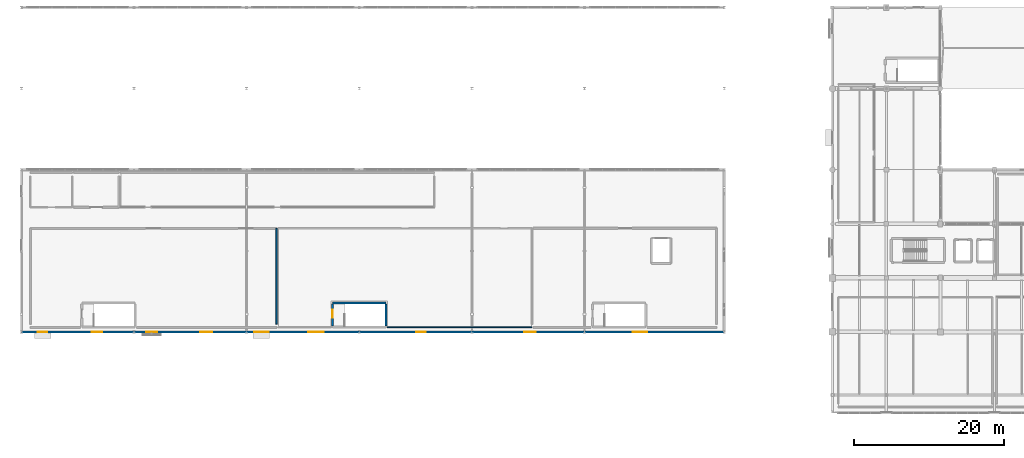
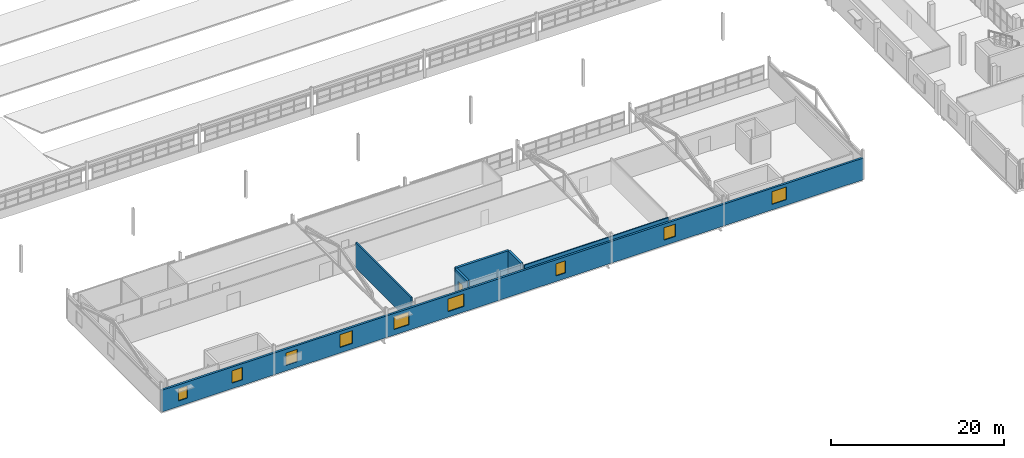
# One storey, part 69 of 90: 9 windows, 6 walls, 1 door, 10 openings.
"""IFC4 building model written with IfcOpenShell, lengths in metres."""

from ifc_helpers import new_model, si_unit, direction, frame, frame_2d, origin, place, context, subcontext, project, spatial, rectangle, extrude, material, layer, layer_set, type_object, element, fill, save


model = new_model("IFC4")

# Units and contexts
model_context = context("Model", 3, precision=1e-05, world=origin(), true_north=direction((0.0, 1.0)))
body_context = subcontext(model_context, "Body", "Model", "MODEL_VIEW")
ifc_project = project(units=[si_unit("LENGTHUNIT", "METRE"), si_unit("AREAUNIT", "SQUARE_METRE"), si_unit("VOLUMEUNIT", "CUBIC_METRE"), si_unit("PLANEANGLEUNIT", "RADIAN"), si_unit("MASSUNIT", "GRAM", prefix="KILO")], contexts=[model_context])

# Site, building, storey
site_placement = place(None, origin())
site = spatial("IfcSite", under=ifc_project, at=site_placement, CompositionType="ELEMENT")
building_placement = place(site_placement, origin())
building = spatial("IfcBuilding", under=site, at=building_placement, Name="Solanera Park Tramway Depot", CompositionType="ELEMENT")
storey_placement = place(building_placement, frame((0.0, 0.0, 9.0)))
storey = spatial("IfcBuildingStorey", under=building, at=storey_placement, Name="L02", CompositionType="ELEMENT", Elevation=9.0)

# Walls
ifc_material_1 = material(Name="Concrete N32 (C32/40)", Category="concrete")
ifc_layer_1 = layer(ifc_material_1, 0.14990234375)
ifc_layer_set_1 = layer_set([ifc_layer_1], Name="Concrete N32 (C32/40)")
wall_type_1 = type_object("IfcWallType", Name="Acoustic Partition 150", PredefinedType="PARTITIONING", material=ifc_layer_set_1)
wall_1_placement = place(storey_placement, frame((68.0, 11.39990234375, 0.0), z_axis=(0.0, 0.0, 1.0), x_axis=(-1.0, 0.0, 0.0)))
element("IfcWall", 1, at=wall_1_placement, inside=storey, type_object=wall_type_1, Name="Overhead Catenary Rigging Training Studio Dividing Wall", PredefinedType="PARTITIONING", context=body_context, shape_type="SweptSolid", body=[
    extrude(rectangle(XDim=19.25, YDim=0.14990234375, at=frame_2d((9.625, 0.0))), origin(), (0.0, 0.0, 1.0), 3.2353515625),
])
ifc_material_2 = material(Name="Concrete N40 (C40/50)", Category="concrete")
ifc_layer_2 = layer(ifc_material_2, 0.300048828125)
ifc_layer_set_2 = layer_set([ifc_layer_2], Name="Concrete N40 (C40/50)")
wall_type_2 = type_object("IfcWallType", Name="Core Shear Wall 300", PredefinedType="SHEAR", material=ifc_layer_set_2)
wall_2_placement = place(storey_placement, frame((48.550048828125, 14.64990234375, 0.0), z_axis=(0.0, 0.0, 1.0), x_axis=(-1.0, 0.0, 0.0)))
element("IfcWall", 2, at=wall_2_placement, inside=storey, type_object=wall_type_2, Name="ST-12 L02 Shear Core Wall N", PredefinedType="SHEAR", context=body_context, shape_type="SweptSolid", body=[
    extrude(rectangle(XDim=7.10009765625, YDim=0.300048828125, at=frame_2d((3.550048828125, 0.0))), origin(), (0.0, 0.0, 1.0), 3.449951171875),
])
wall_3_placement = place(storey_placement, frame((48.550048828125, 11.60009765625, 0.0), z_axis=(0.0, 0.0, 1.0), x_axis=(0.0, 1.0, 0.0)))
element("IfcWall", 3, at=wall_3_placement, inside=storey, type_object=wall_type_2, Name="ST-12 L02 Shear Core Wall E", PredefinedType="SHEAR", context=body_context, shape_type="SweptSolid", body=[
    extrude(rectangle(XDim=2.89990234375, YDim=0.300048828125, at=frame_2d((1.449951171875, 0.0))), origin(), (0.0, 0.0, 1.0), 3.449951171875),
])

# Wall, opening, door
wall_4_placement = place(storey_placement, frame((41.449951171875, 14.5, 0.0), z_axis=(0.0, 0.0, 1.0), x_axis=(0.0, -1.0, 0.0)))
wall_4 = element("IfcWall", 4, at=wall_4_placement, inside=storey, type_object=wall_type_2, Name="ST-12 L02 Shear Core Wall W", PredefinedType="SHEAR", context=body_context, shape_type="SweptSolid", body=[
    extrude(rectangle(XDim=2.89990234375, YDim=0.300048828125, at=frame_2d((1.449951171875, 0.0))), origin(), (0.0, 0.0, 1.0), 3.449951171875),
])
opening_1_placement = place(wall_4_placement, frame((0.75, 0.0, 0.0)))
opening_1 = element("IfcOpeningElement", 5, at=opening_1_placement, cuts=wall_4, Name="Opening FD-S1R", PredefinedType="OPENING", context=body_context, shape_type="SweptSolid", body=[
    extrude(rectangle(XDim=1.070068359375, YDim=2.14990234375, at=frame_2d((0.53515625, 1.074951171875))), frame((0.0, 0.16015625, 0.0), z_axis=(0.0, -1.0, 0.0), x_axis=(1.0, 0.0, 0.0)), (0.0, 0.0, 1.0), 0.320068359375),
])
ifc_material_3 = material(Name="Fire-rated steel or solid-core hardwood door leaf", Category="steel")
door_type = type_object("IfcDoorType", Name="Stair Fire Door R 1070x2150", OperationType="SINGLE_SWING_RIGHT", PredefinedType="DOOR", material=ifc_material_3)
door_placement = place(opening_1_placement, origin())
door = element("IfcDoor", 6, at=door_placement, inside=storey, type_object=door_type, Name="ST-12 L02 Stair Fire Door", OperationType="SINGLE_SWING_RIGHT", OverallHeight=2.14990234375, OverallWidth=1.070068359375, PredefinedType="DOOR", context=body_context, shape_type="SweptSolid", body=[
    extrude(rectangle(XDim=1.070068359375, YDim=2.14990234375, at=frame_2d((0.53515625, 1.074951171875))), frame((0.0, 0.02490234375, 0.0), z_axis=(0.0, -1.0, 0.0), x_axis=(1.0, 0.0, 0.0)), (0.0, 0.0, 1.0), 0.050048828125),
])
fill(opening_1, door)

# Wall, openings, windows
ifc_material_4 = material(Name="Concrete N32 (C32/40)", Category="concrete")
ifc_layer_3 = layer(ifc_material_4, 0.280029296875)
ifc_layer_set_3 = layer_set([ifc_layer_3], Name="Concrete N32 (C32/40)")
wall_type_3 = type_object("IfcWallType", Name="Ext Stucco Wall 280", PredefinedType="SOLIDWALL", material=ifc_layer_set_3)
wall_5_placement = place(storey_placement, frame((0.0, 10.800048828125, 0.0), z_axis=(0.0, 0.0, 1.0), x_axis=(1.0, 0.0, 0.0)))
wall_5 = element("IfcWall", 7, at=wall_5_placement, inside=storey, type_object=wall_type_3, Name="L02 Exterior Wall #008", PredefinedType="SOLIDWALL", context=body_context, shape_type="SweptSolid", body=[
    extrude(rectangle(XDim=93.60009765625, YDim=0.280029296875, at=frame_2d((46.800048828125, 0.0))), origin(), (0.0, 0.0, 1.0), 3.05810546875),
])
opening_2_placement = place(wall_5_placement, frame((2.199951171875, 0.0, 0.780029296875)))
opening_2 = element("IfcOpeningElement", 8, at=opening_2_placement, cuts=wall_5, Name="Opening WN-C12", PredefinedType="OPENING", context=body_context, shape_type="SweptSolid", body=[
    extrude(rectangle(XDim=1.25, YDim=1.699951171875, at=frame_2d((0.625, 0.85009765625))), frame((0.0, 0.14990234375, 0.0), z_axis=(0.0, -1.0, 0.0), x_axis=(1.0, 0.0, 0.0)), (0.0, 0.0, 1.0), 0.300048828125),
])
opening_3_placement = place(wall_5_placement, frame((9.39990234375, 0.0, 0.780029296875)))
opening_3 = element("IfcOpeningElement", 9, at=opening_3_placement, cuts=wall_5, Name="Opening WN-C13", PredefinedType="OPENING", context=body_context, shape_type="SweptSolid", body=[
    extrude(rectangle(XDim=1.35009765625, YDim=1.75, at=frame_2d((0.675048828125, 0.875))), frame((0.0, 0.14990234375, 0.0), z_axis=(0.0, -1.0, 0.0), x_axis=(1.0, 0.0, 0.0)), (0.0, 0.0, 1.0), 0.300048828125),
])
opening_4_placement = place(wall_5_placement, frame((16.60009765625, 0.0, 0.780029296875)))
opening_4 = element("IfcOpeningElement", 10, at=opening_4_placement, cuts=wall_5, Name="Opening WN-C15", PredefinedType="OPENING", context=body_context, shape_type="SweptSolid", body=[
    extrude(rectangle(XDim=1.5, YDim=1.75, at=frame_2d((0.75, 0.875))), frame((0.0, 0.14990234375, 0.0), z_axis=(0.0, -1.0, 0.0), x_axis=(1.0, 0.0, 0.0)), (0.0, 0.0, 1.0), 0.300048828125),
])
opening_5_placement = place(wall_5_placement, frame((23.800048828125, 0.0, 0.780029296875)))
opening_5 = element("IfcOpeningElement", 11, at=opening_5_placement, cuts=wall_5, Name="Opening WN-C16", PredefinedType="OPENING", context=body_context, shape_type="SweptSolid", body=[
    extrude(rectangle(XDim=1.64990234375, YDim=1.800048828125, at=frame_2d((0.824951171875, 0.89990234375))), frame((0.0, 0.14990234375, 0.0), z_axis=(0.0, -1.0, 0.0), x_axis=(1.0, 0.0, 0.0)), (0.0, 0.0, 1.0), 0.300048828125),
])
opening_6_placement = place(wall_5_placement, frame((31.0, 0.0, 0.780029296875)))
opening_6 = element("IfcOpeningElement", 12, at=opening_6_placement, cuts=wall_5, Name="Opening WN-C19", PredefinedType="OPENING", context=body_context, shape_type="SweptSolid", body=[
    extrude(rectangle(XDim=1.949951171875, YDim=1.800048828125, at=frame_2d((0.97509765625, 0.89990234375))), frame((0.0, 0.14990234375, 0.0), z_axis=(0.0, -1.0, 0.0), x_axis=(1.0, 0.0, 0.0)), (0.0, 0.0, 1.0), 0.300048828125),
])
opening_7_placement = place(wall_5_placement, frame((38.199951171875, 0.0, 0.780029296875)))
opening_7 = element("IfcOpeningElement", 13, at=opening_7_placement, cuts=wall_5, Name="Opening WN-C21", PredefinedType="OPENING", context=body_context, shape_type="SweptSolid", body=[
    extrude(rectangle(XDim=2.10009765625, YDim=1.800048828125, at=frame_2d((1.050048828125, 0.89990234375))), frame((0.0, 0.14990234375, 0.0), z_axis=(0.0, -1.0, 0.0), x_axis=(1.0, 0.0, 0.0)), (0.0, 0.0, 1.0), 0.300048828125),
])
opening_8_placement = place(wall_5_placement, frame((52.60009765625, 0.0, 0.780029296875)))
opening_8 = element("IfcOpeningElement", 14, at=opening_8_placement, cuts=wall_5, Name="Opening WN-C12", PredefinedType="OPENING", context=body_context, shape_type="SweptSolid", body=[
    extrude(rectangle(XDim=1.25, YDim=1.699951171875, at=frame_2d((0.625, 0.85009765625))), frame((0.0, 0.14990234375, 0.0), z_axis=(0.0, -1.0, 0.0), x_axis=(1.0, 0.0, 0.0)), (0.0, 0.0, 1.0), 0.300048828125),
])
opening_9_placement = place(wall_5_placement, frame((67.0, 0.0, 0.780029296875)))
opening_9 = element("IfcOpeningElement", 15, at=opening_9_placement, cuts=wall_5, Name="Opening WN-C15", PredefinedType="OPENING", context=body_context, shape_type="SweptSolid", body=[
    extrude(rectangle(XDim=1.5, YDim=1.75, at=frame_2d((0.75, 0.875))), frame((0.0, 0.14990234375, 0.0), z_axis=(0.0, -1.0, 0.0), x_axis=(1.0, 0.0, 0.0)), (0.0, 0.0, 1.0), 0.300048828125),
])
opening_10_placement = place(wall_5_placement, frame((81.39990234375, 0.0, 0.780029296875)))
opening_10 = element("IfcOpeningElement", 16, at=opening_10_placement, cuts=wall_5, Name="Opening WN-C19", PredefinedType="OPENING", context=body_context, shape_type="SweptSolid", body=[
    extrude(rectangle(XDim=1.949951171875, YDim=1.800048828125, at=frame_2d((0.97509765625, 0.89990234375))), frame((0.0, 0.14990234375, 0.0), z_axis=(0.0, -1.0, 0.0), x_axis=(1.0, 0.0, 0.0)), (0.0, 0.0, 1.0), 0.300048828125),
])
ifc_material_5 = material(Name="Powder-coated aluminium frame with solar-control double glazing", Category="aluminium")
window_type_1 = type_object("IfcWindowType", Name="Cloister Casement Window 1250x1700", PartitioningType="SINGLE_PANEL", PredefinedType="WINDOW", material=ifc_material_5)
window_1_placement = place(opening_2_placement, origin())
window_1 = element("IfcWindow", 17, at=window_1_placement, inside=storey, type_object=window_type_1, Name="L02 Cloister Casement Window 1250x1700 #0051", OverallHeight=1.699951171875, OverallWidth=1.25, PartitioningType="SINGLE_PANEL", PredefinedType="WINDOW", context=body_context, shape_type="SweptSolid", body=[
    extrude(rectangle(XDim=1.25, YDim=1.699951171875, at=frame_2d((0.625, 0.85009765625))), frame((0.0, 0.030029296875, 0.0), z_axis=(0.0, -1.0, 0.0), x_axis=(1.0, 0.0, 0.0)), (0.0, 0.0, 1.0), 0.06005859375),
])
fill(opening_2, window_1)
window_2_placement = place(opening_8_placement, origin())
window_2 = element("IfcWindow", 18, at=window_2_placement, inside=storey, type_object=window_type_1, Name="L02 Cloister Casement Window 1250x1700 #0057", OverallHeight=1.699951171875, OverallWidth=1.25, PartitioningType="SINGLE_PANEL", PredefinedType="WINDOW", context=body_context, shape_type="SweptSolid", body=[
    extrude(rectangle(XDim=1.25, YDim=1.699951171875, at=frame_2d((0.625, 0.85009765625))), frame((0.0, 0.030029296875, 0.0), z_axis=(0.0, -1.0, 0.0), x_axis=(1.0, 0.0, 0.0)), (0.0, 0.0, 1.0), 0.06005859375),
])
fill(opening_8, window_2)
ifc_material_6 = material(Name="Powder-coated aluminium frame with solar-control double glazing", Category="aluminium")
window_type_2 = type_object("IfcWindowType", Name="Cloister Casement Window 1350x1750", PartitioningType="SINGLE_PANEL", PredefinedType="WINDOW", material=ifc_material_6)
window_3_placement = place(opening_3_placement, origin())
window_3 = element("IfcWindow", 19, at=window_3_placement, inside=storey, type_object=window_type_2, Name="L02 Cloister Casement Window 1350x1750 #0052", OverallHeight=1.75, OverallWidth=1.35009765625, PartitioningType="SINGLE_PANEL", PredefinedType="WINDOW", context=body_context, shape_type="SweptSolid", body=[
    extrude(rectangle(XDim=1.35009765625, YDim=1.75, at=frame_2d((0.675048828125, 0.875))), frame((0.0, 0.030029296875, 0.0), z_axis=(0.0, -1.0, 0.0), x_axis=(1.0, 0.0, 0.0)), (0.0, 0.0, 1.0), 0.06005859375),
])
fill(opening_3, window_3)
ifc_material_7 = material(Name="Powder-coated aluminium frame with solar-control double glazing", Category="aluminium")
window_type_3 = type_object("IfcWindowType", Name="Cloister Casement Window 1500x1750", PartitioningType="SINGLE_PANEL", PredefinedType="WINDOW", material=ifc_material_7)
window_4_placement = place(opening_4_placement, origin())
window_4 = element("IfcWindow", 20, at=window_4_placement, inside=storey, type_object=window_type_3, Name="L02 Cloister Casement Window 1500x1750 #0053", OverallHeight=1.75, OverallWidth=1.5, PartitioningType="SINGLE_PANEL", PredefinedType="WINDOW", context=body_context, shape_type="SweptSolid", body=[
    extrude(rectangle(XDim=1.5, YDim=1.75, at=frame_2d((0.75, 0.875))), frame((0.0, 0.030029296875, 0.0), z_axis=(0.0, -1.0, 0.0), x_axis=(1.0, 0.0, 0.0)), (0.0, 0.0, 1.0), 0.06005859375),
])
fill(opening_4, window_4)
window_5_placement = place(opening_9_placement, origin())
window_5 = element("IfcWindow", 21, at=window_5_placement, inside=storey, type_object=window_type_3, Name="L02 Cloister Casement Window 1500x1750 #0058", OverallHeight=1.75, OverallWidth=1.5, PartitioningType="SINGLE_PANEL", PredefinedType="WINDOW", context=body_context, shape_type="SweptSolid", body=[
    extrude(rectangle(XDim=1.5, YDim=1.75, at=frame_2d((0.75, 0.875))), frame((0.0, 0.030029296875, 0.0), z_axis=(0.0, -1.0, 0.0), x_axis=(1.0, 0.0, 0.0)), (0.0, 0.0, 1.0), 0.06005859375),
])
fill(opening_9, window_5)
ifc_material_8 = material(Name="Powder-coated aluminium frame with solar-control double glazing", Category="aluminium")
window_type_4 = type_object("IfcWindowType", Name="Cloister Casement Window 1650x1800", PartitioningType="SINGLE_PANEL", PredefinedType="WINDOW", material=ifc_material_8)
window_6_placement = place(opening_5_placement, origin())
window_6 = element("IfcWindow", 22, at=window_6_placement, inside=storey, type_object=window_type_4, Name="L02 Cloister Casement Window 1650x1800 #0054", OverallHeight=1.800048828125, OverallWidth=1.64990234375, PartitioningType="SINGLE_PANEL", PredefinedType="WINDOW", context=body_context, shape_type="SweptSolid", body=[
    extrude(rectangle(XDim=1.64990234375, YDim=1.800048828125, at=frame_2d((0.824951171875, 0.89990234375))), frame((0.0, 0.030029296875, 0.0), z_axis=(0.0, -1.0, 0.0), x_axis=(1.0, 0.0, 0.0)), (0.0, 0.0, 1.0), 0.06005859375),
])
fill(opening_5, window_6)
ifc_material_9 = material(Name="Powder-coated aluminium frame with solar-control double glazing", Category="aluminium")
window_type_5 = type_object("IfcWindowType", Name="Cloister Casement Window 1950x1800", PartitioningType="SINGLE_PANEL", PredefinedType="WINDOW", material=ifc_material_9)
window_7_placement = place(opening_6_placement, origin())
window_7 = element("IfcWindow", 23, at=window_7_placement, inside=storey, type_object=window_type_5, Name="L02 Cloister Casement Window 1950x1800 #0055", OverallHeight=1.800048828125, OverallWidth=1.949951171875, PartitioningType="SINGLE_PANEL", PredefinedType="WINDOW", context=body_context, shape_type="SweptSolid", body=[
    extrude(rectangle(XDim=1.949951171875, YDim=1.800048828125, at=frame_2d((0.97509765625, 0.89990234375))), frame((0.0, 0.030029296875, 0.0), z_axis=(0.0, -1.0, 0.0), x_axis=(1.0, 0.0, 0.0)), (0.0, 0.0, 1.0), 0.06005859375),
])
fill(opening_6, window_7)
window_8_placement = place(opening_10_placement, origin())
window_8 = element("IfcWindow", 24, at=window_8_placement, inside=storey, type_object=window_type_5, Name="L02 Cloister Casement Window 1950x1800 #0059", OverallHeight=1.800048828125, OverallWidth=1.949951171875, PartitioningType="SINGLE_PANEL", PredefinedType="WINDOW", context=body_context, shape_type="SweptSolid", body=[
    extrude(rectangle(XDim=1.949951171875, YDim=1.800048828125, at=frame_2d((0.97509765625, 0.89990234375))), frame((0.0, 0.030029296875, 0.0), z_axis=(0.0, -1.0, 0.0), x_axis=(1.0, 0.0, 0.0)), (0.0, 0.0, 1.0), 0.06005859375),
])
fill(opening_10, window_8)
ifc_material_10 = material(Name="Powder-coated aluminium frame with solar-control double glazing", Category="aluminium")
window_type_6 = type_object("IfcWindowType", Name="Cloister Casement Window 2100x1800", PartitioningType="SINGLE_PANEL", PredefinedType="WINDOW", material=ifc_material_10)
window_9_placement = place(opening_7_placement, origin())
window_9 = element("IfcWindow", 25, at=window_9_placement, inside=storey, type_object=window_type_6, Name="L02 Cloister Casement Window 2100x1800 #0056", OverallHeight=1.800048828125, OverallWidth=2.10009765625, PartitioningType="SINGLE_PANEL", PredefinedType="WINDOW", context=body_context, shape_type="SweptSolid", body=[
    extrude(rectangle(XDim=2.10009765625, YDim=1.800048828125, at=frame_2d((1.050048828125, 0.89990234375))), frame((0.0, 0.030029296875, 0.0), z_axis=(0.0, -1.0, 0.0), x_axis=(1.0, 0.0, 0.0)), (0.0, 0.0, 1.0), 0.06005859375),
])
fill(opening_7, window_9)

# Wall
ifc_material_11 = material(Name="Concrete N32 (C32/40)", Category="concrete")
ifc_layer_4 = layer(ifc_material_11, 0.199951171875)
ifc_layer_set_4 = layer_set([ifc_layer_4], Name="Concrete N32 (C32/40)")
wall_type_4 = type_object("IfcWallType", Name="Fire Compartment Wall 200", PredefinedType="SOLIDWALL", material=ifc_layer_set_4)
wall_6_placement = place(storey_placement, frame((34.0, 11.85009765625, 0.0), z_axis=(0.0, 0.0, 1.0), x_axis=(0.0, 1.0, 0.0)))
element("IfcWall", 26, at=wall_6_placement, inside=storey, type_object=wall_type_4, Name="Workshop Cyclone Fresh-Air AHU Plant 1 Dividing Wall", PredefinedType="SOLIDWALL", context=body_context, shape_type="SweptSolid", body=[
    extrude(rectangle(XDim=12.75, YDim=0.199951171875, at=frame_2d((6.375, 0.0))), origin(), (0.0, 0.0, 1.0), 3.60009765625),
])

save(model, "model.ifc")
